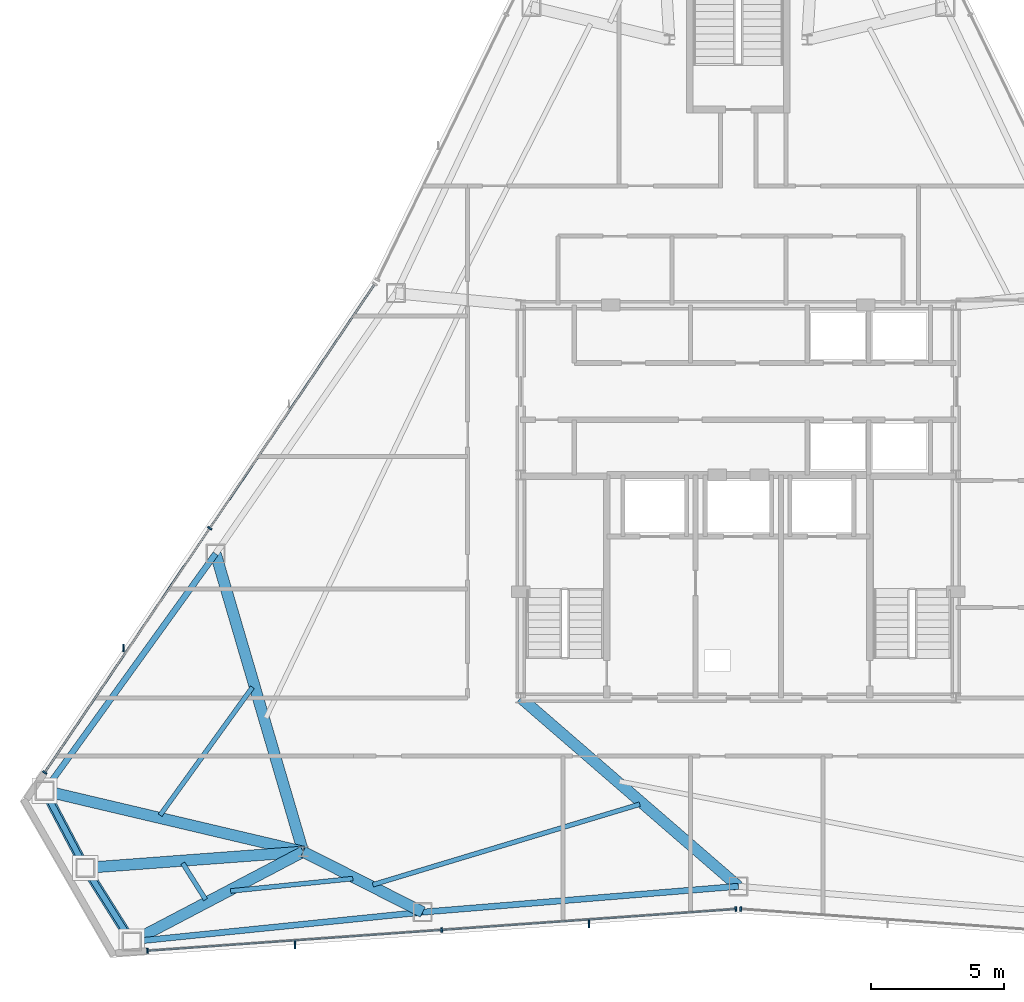
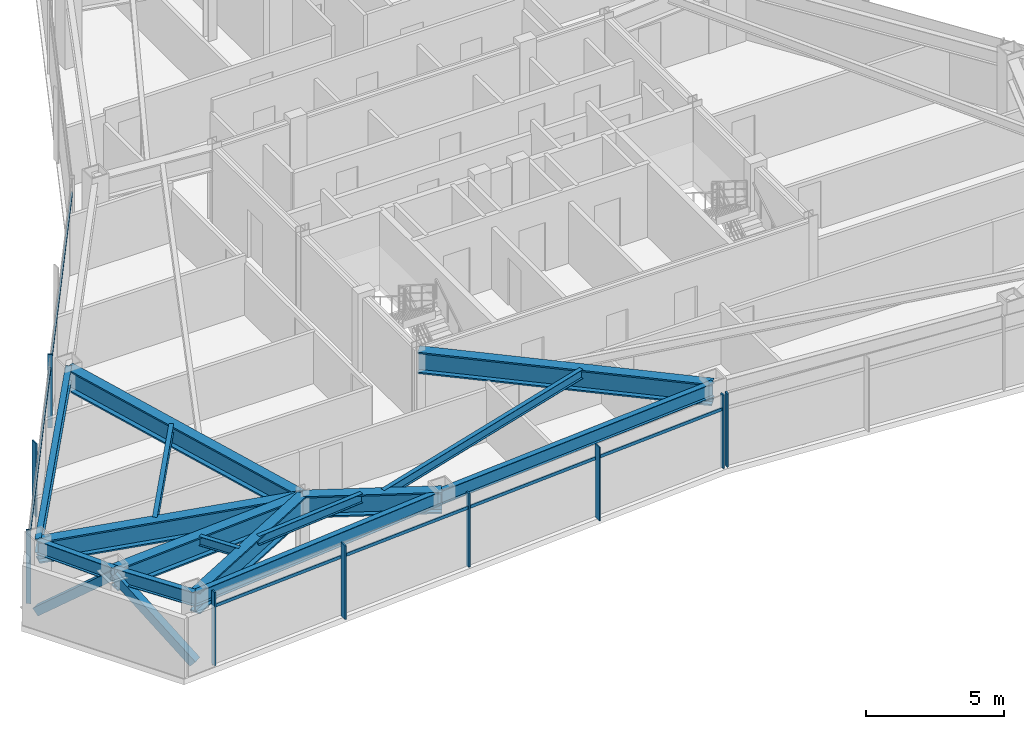
# One storey, part 3 of 12: 15 beams, 13 members, 3 elements without a shape of their own.
"""IFC4 building model written with IfcOpenShell, lengths in metres."""

from ifc_helpers import new_model, si_unit, direction, frame, origin, origin_2d, place, context, subcontext, project, spatial, rectangle, hollow_rectangle, i_section, extrude, source, transform, mapped, material, layer, layer_set, material_profile, profile_set, type_object, type_shapes, element, aggregate, save


model = new_model("IFC4")

# Units and contexts
model_context = context("Model", 3, precision=1e-05, world=origin(), true_north=direction((0.0, 1.0)))
body_context = subcontext(model_context, "Body", "Model", "MODEL_VIEW")
ifc_project = project(units=[si_unit("LENGTHUNIT", "METRE"), si_unit("AREAUNIT", "SQUARE_METRE"), si_unit("VOLUMEUNIT", "CUBIC_METRE"), si_unit("PLANEANGLEUNIT", "RADIAN"), si_unit("MASSUNIT", "GRAM", prefix="KILO")], contexts=[model_context])

# Site, building, storey
site_placement = place(None, origin())
site = spatial("IfcSite", under=ifc_project, at=site_placement, CompositionType="ELEMENT")
building_placement = place(site_placement, origin())
building = spatial("IfcBuilding", under=site, at=building_placement, Name="Varakhsha Concourse Tower", CompositionType="ELEMENT")
storey_placement = place(building_placement, frame((0.0, 0.0, 204.89990234375)))
storey = spatial("IfcBuildingStorey", under=building, at=storey_placement, Name="L58", CompositionType="ELEMENT", Elevation=204.89990234375)

# Beams
ifc_material_1 = material(Name="Structural Steel ASTM A992 Grade 50", Category="steel")
ifc_material_profile_1 = material_profile(ifc_material_1, i_section(OverallWidth=0.177978515625, OverallDepth=0.406982421875, WebThickness=0.008056640625, FlangeThickness=0.012939453125, at=origin_2d()), Name="W16X40")
ifc_profile_set_1 = profile_set([ifc_material_profile_1], Name="Structural Steel ASTM A992 Grade 50")
beam_type_1 = type_object("IfcBeamType", Name="BM-JST-W16X40", PredefinedType="JOIST", material=ifc_profile_set_1)
beam_1_placement = place(storey_placement, frame((21.6884765625, 16.8017578125, 3.046630859375), z_axis=(-0.584927141354, -0.811085839666, 0.0), x_axis=(0.811085839666, -0.584927141354, 0.0)))
element("IfcBeam", 1, at=beam_1_placement, inside=storey, type_object=beam_type_1, Name="BM-TJST-L58-06", PredefinedType="JOIST", context=body_context, shape_type="SweptSolid", body=[
    extrude(i_section(OverallWidth=0.177978515625, OverallDepth=0.406982421875, WebThickness=0.008056640625, FlangeThickness=0.012939453125, at=origin_2d()), origin(), (0.0, 0.0, 1.0), 5.9501953125),
])
beam_2_placement = place(storey_placement, frame((19.060791015625, 10.166015625, 3.046630859375), z_axis=(0.532597407227, -0.84636871505, 0.0), x_axis=(0.84636871505, 0.532597407227, 0.0)))
element("IfcBeam", 2, at=beam_2_placement, inside=storey, type_object=beam_type_1, Name="BM-TJST-L58-08", PredefinedType="JOIST", context=body_context, shape_type="SweptSolid", body=[
    extrude(i_section(OverallWidth=0.177978515625, OverallDepth=0.406982421875, WebThickness=0.008056640625, FlangeThickness=0.012939453125, at=origin_2d()), origin(), (0.0, 0.0, 1.0), 1.619873046875),
])
beam_3_placement = place(storey_placement, frame((20.866943359375, 9.11962890625, 3.046630859375), z_axis=(0.994878732251, 0.101075754334, 0.0), x_axis=(-0.101075754334, 0.994878732251, 0.0)))
element("IfcBeam", 3, at=beam_3_placement, inside=storey, type_object=beam_type_1, Name="BM-TJST-L58-09", PredefinedType="JOIST", context=body_context, shape_type="SweptSolid", body=[
    extrude(i_section(OverallWidth=0.177978515625, OverallDepth=0.406982421875, WebThickness=0.008056640625, FlangeThickness=0.012939453125, at=origin_2d()), origin(), (0.0, 0.0, 1.0), 4.6279296875),
])
beam_4_placement = place(storey_placement, frame((26.226318359375, 9.35693359375, 3.046630859375), z_axis=(0.9574166911, 0.288709680482, 0.0), x_axis=(-0.288709680482, 0.9574166911, 0.0)))
element("IfcBeam", 4, at=beam_4_placement, inside=storey, type_object=beam_type_1, Name="BM-TJST-L58-10", PredefinedType="JOIST", context=body_context, shape_type="SweptSolid", body=[
    extrude(i_section(OverallWidth=0.177978515625, OverallDepth=0.406982421875, WebThickness=0.008056640625, FlangeThickness=0.012939453125, at=origin_2d()), origin(), (0.0, 0.0, 1.0), 10.5078125),
])
ifc_material_profile_2 = material_profile(ifc_material_1, i_section(OverallWidth=0.423095703125, OverallDepth=0.947998046875, WebThickness=0.0380859375, FlangeThickness=0.06396484375, at=origin_2d()), Name="W36X302")
ifc_profile_set_2 = profile_set([ifc_material_profile_2], Name="Structural Steel ASTM A992 Grade 50")
beam_type_2 = type_object("IfcBeamType", Name="BM-OUTR-W36X302", PredefinedType="USERDEFINED", material=ifc_profile_set_2)
beam_5_placement = place(storey_placement, frame((23.60009765625, 10.60009765625, 2.776123046875), z_axis=(-0.281739548175, 0.959490920746, 0.0), x_axis=(-0.959490920746, -0.281739548175, 0.0)))
element("IfcBeam", 5, at=beam_5_placement, inside=storey, type_object=beam_type_2, Name="L58 Radial Floor Girder 06", ObjectType="GIRDER", PredefinedType="USERDEFINED", context=body_context, shape_type="SweptSolid", body=[
    extrude(i_section(OverallWidth=0.423095703125, OverallDepth=0.947998046875, WebThickness=0.0380859375, FlangeThickness=0.06396484375, at=origin_2d()), origin(), (0.0, 0.0, 1.0), 11.7080078125),
])
beam_6_placement = place(storey_placement, frame((23.60009765625, 10.60009765625, 2.776123046875), z_axis=(-0.973318249516, 0.229459332257, 0.0), x_axis=(-0.229459332257, -0.973318249516, 0.0)))
element("IfcBeam", 6, at=beam_6_placement, inside=storey, type_object=beam_type_2, Name="L58 Radial Floor Girder 07", ObjectType="GIRDER", PredefinedType="USERDEFINED", context=body_context, shape_type="SweptSolid", body=[
    extrude(i_section(OverallWidth=0.423095703125, OverallDepth=0.947998046875, WebThickness=0.0380859375, FlangeThickness=0.06396484375, at=origin_2d()), origin(), (0.0, 0.0, 1.0), 10.010986328125),
])
beam_7_placement = place(storey_placement, frame((23.60009765625, 10.60009765625, 2.776123046875), z_axis=(-0.997261601939, -0.073954697607, 0.0), x_axis=(0.073954697607, -0.997261601939, 0.0)))
element("IfcBeam", 7, at=beam_7_placement, inside=storey, type_object=beam_type_2, Name="L58 Radial Floor Girder 08", ObjectType="GIRDER", PredefinedType="USERDEFINED", context=body_context, shape_type="SweptSolid", body=[
    extrude(i_section(OverallWidth=0.423095703125, OverallDepth=0.947998046875, WebThickness=0.0380859375, FlangeThickness=0.06396484375, at=origin_2d()), origin(), (0.0, 0.0, 1.0), 8.233154296875),
])
beam_8_placement = place(storey_placement, frame((23.60009765625, 10.60009765625, 2.776123046875), z_axis=(-0.885501860742, -0.464635830111, 0.0), x_axis=(0.464635830111, -0.885501860742, 0.0)))
element("IfcBeam", 8, at=beam_8_placement, inside=storey, type_object=beam_type_2, Name="L58 Radial Floor Girder 09", ObjectType="GIRDER", PredefinedType="USERDEFINED", context=body_context, shape_type="SweptSolid", body=[
    extrude(i_section(OverallWidth=0.423095703125, OverallDepth=0.947998046875, WebThickness=0.0380859375, FlangeThickness=0.06396484375, at=origin_2d()), origin(), (0.0, 0.0, 1.0), 7.2958984375),
])
beam_9_placement = place(storey_placement, frame((23.60009765625, 10.60009765625, 2.776123046875), z_axis=(0.892365691824, -0.451313053274, 0.0), x_axis=(0.451313053274, 0.892365691824, 0.0)))
element("IfcBeam", 9, at=beam_9_placement, inside=storey, type_object=beam_type_2, Name="L58 Radial Floor Girder 10", ObjectType="GIRDER", PredefinedType="USERDEFINED", context=body_context, shape_type="SweptSolid", body=[
    extrude(i_section(OverallWidth=0.423095703125, OverallDepth=0.947998046875, WebThickness=0.0380859375, FlangeThickness=0.06396484375, at=origin_2d()), origin(), (0.0, 0.0, 1.0), 5.04443359375),
])
beam_10_placement = place(storey_placement, frame((31.800048828125, 16.39990234375, 2.776123046875), z_axis=(0.755864295136, -0.654728315669, 0.0), x_axis=(0.654728315669, 0.755864295136, 0.0)))
element("IfcBeam", 10, at=beam_10_placement, inside=storey, type_object=beam_type_2, Name="L58 Radial Floor Girder 11", ObjectType="GIRDER", PredefinedType="USERDEFINED", context=body_context, shape_type="SweptSolid", body=[
    extrude(i_section(OverallWidth=0.423095703125, OverallDepth=0.947998046875, WebThickness=0.0380859375, FlangeThickness=0.06396484375, at=origin_2d()), origin(), (0.0, 0.0, 1.0), 10.848388671875),
])
ifc_material_profile_3 = material_profile(ifc_material_1, i_section(OverallWidth=0.22900390625, OverallDepth=0.612060546875, WebThickness=0.011962890625, FlangeThickness=0.02001953125, at=origin_2d()), Name="W24X84")
ifc_profile_set_3 = profile_set([ifc_material_profile_3], Name="Structural Steel ASTM A992 Grade 50")
beam_type_3 = type_object("IfcBeamType", Name="BM-SPAN-W24X84", PredefinedType="SPANDREL", material=ifc_profile_set_3)
beam_11_placement = place(storey_placement, frame((20.301513671875, 21.833740234375, 2.944091796875), z_axis=(-0.584962960084, -0.811060007231, 0.0), x_axis=(0.811060007231, -0.584962960084, 0.0)))
element("IfcBeam", 11, at=beam_11_placement, inside=storey, type_object=beam_type_3, Name="BM-SPAN-L58-06", PredefinedType="SPANDREL", context=body_context, shape_type="SweptSolid", body=[
    extrude(i_section(OverallWidth=0.22900390625, OverallDepth=0.612060546875, WebThickness=0.011962890625, FlangeThickness=0.02001953125, at=origin_2d()), origin(), (0.0, 0.0, 1.0), 11.018310546875),
])
beam_12_placement = place(storey_placement, frame((13.856201171875, 12.897216796875, 2.944091796875), z_axis=(0.466634310193, -0.884450349398, 0.0), x_axis=(0.884450349398, 0.466634310193, 0.0)))
element("IfcBeam", 12, at=beam_12_placement, inside=storey, type_object=beam_type_3, Name="BM-SPAN-L58-07", PredefinedType="SPANDREL", context=body_context, shape_type="SweptSolid", body=[
    extrude(i_section(OverallWidth=0.22900390625, OverallDepth=0.612060546875, WebThickness=0.011962890625, FlangeThickness=0.02001953125, at=origin_2d()), origin(), (0.0, 0.0, 1.0), 3.28564453125),
])
beam_13_placement = place(storey_placement, frame((15.389404296875, 9.9912109375, 2.944091796875), z_axis=(0.532647729471, -0.846337046506, 0.0), x_axis=(0.846337046506, 0.532647729471, 0.0)))
element("IfcBeam", 13, at=beam_13_placement, inside=storey, type_object=beam_type_3, Name="BM-SPAN-L58-08", PredefinedType="SPANDREL", context=body_context, shape_type="SweptSolid", body=[
    extrude(i_section(OverallWidth=0.22900390625, OverallDepth=0.612060546875, WebThickness=0.011962890625, FlangeThickness=0.02001953125, at=origin_2d()), origin(), (0.0, 0.0, 1.0), 3.285888671875),
])
beam_14_placement = place(storey_placement, frame((17.1396484375, 7.210205078125, 2.944091796875), z_axis=(0.994882436683, 0.101039285329, 0.0), x_axis=(-0.101039285329, 0.994882436683, 0.0)))
element("IfcBeam", 14, at=beam_14_placement, inside=storey, type_object=beam_type_3, Name="BM-SPAN-L58-09", PredefinedType="SPANDREL", context=body_context, shape_type="SweptSolid", body=[
    extrude(i_section(OverallWidth=0.22900390625, OverallDepth=0.612060546875, WebThickness=0.011962890625, FlangeThickness=0.02001953125, at=origin_2d()), origin(), (0.0, 0.0, 1.0), 11.018310546875),
])
beam_15_placement = place(storey_placement, frame((28.1015625, 8.323486328125, 2.944091796875), z_axis=(0.996668757849, 0.081556036735, 0.0), x_axis=(-0.081556036735, 0.996668757849, 0.0)))
element("IfcBeam", 15, at=beam_15_placement, inside=storey, type_object=beam_type_3, Name="BM-SPAN-L58-10", PredefinedType="SPANDREL", context=body_context, shape_type="SweptSolid", body=[
    extrude(i_section(OverallWidth=0.22900390625, OverallDepth=0.612060546875, WebThickness=0.011962890625, FlangeThickness=0.02001953125, at=origin_2d()), origin(), (0.0, 0.0, 1.0), 11.938232421875),
])

# Members
ifc_material_2 = material(Name="Structural Steel ASTM A500 Grade C", Category="steel")
ifc_material_profile_4 = material_profile(ifc_material_2, hollow_rectangle(XDim=0.35009765625, YDim=0.35009765625, WallThickness=0.01611328125, at=origin_2d()), Name="HSS 350x350x16")
ifc_profile_set_4 = profile_set([ifc_material_profile_4], Name="Structural Steel ASTM A500 Grade C")
member_type_1 = type_object("IfcMemberType", Name="MB-TUBE-HSS350", PredefinedType="BRACE", material=ifc_profile_set_4)
shared_shape_1 = source(origin(), body_context, "Body", "SweptSolid", [
    extrude(hollow_rectangle(XDim=0.35009765625, YDim=0.35009765625, WallThickness=0.01611328125, at=origin_2d()), origin(), (0.0, 0.0, 1.0), 4.33642578125),
])
member_1_placement = place(storey_placement, frame((13.856201171875, 12.897216796875, 0.1201171875), z_axis=(0.353560633732, -0.670132519637, 0.652623386342), x_axis=(0.884450349398, 0.466634310193, 0.0)))
element("IfcMember", 16, at=member_1_placement, inside=storey, type_object=member_type_1, Name="L58 Wind-Corner Tube Brace B03", PredefinedType="BRACE", context=body_context, shape_type="MappedRepresentation", body=[
    mapped(shared_shape_1, transform((0.0, 0.0, 0.0), scale=1.0)),
])
shared_shape_2 = source(origin(), body_context, "Body", "SweptSolid", [
    extrude(hollow_rectangle(XDim=0.35009765625, YDim=0.35009765625, WallThickness=0.01611328125, at=origin_2d()), origin(), (0.0, 0.0, 1.0), 4.336669921875),
])
type_shapes(member_type_1, [shared_shape_1, shared_shape_2])
member_2_placement = place(storey_placement, frame((17.1396484375, 7.210205078125, 0.1201171875), z_axis=(-0.403591903834, 0.641277078612, 0.652592739468), x_axis=(-0.846337046506, -0.532647729471, 0.0)))
element("IfcMember", 17, at=member_2_placement, inside=storey, type_object=member_type_1, Name="L58 Wind-Corner Tube Brace B04", PredefinedType="BRACE", context=body_context, shape_type="MappedRepresentation", body=[
    mapped(shared_shape_2, transform((0.0, 0.0, 0.0), scale=1.0)),
])

# Curtain wall, members
ifc_material_3 = material(Name="Anodised Bronze Architectural Aluminium AA 6063-T6", Category="aluminium")
ifc_layer = layer(ifc_material_3, 0.199951171875, Name="CW-SYS-05")
ifc_layer_set = layer_set([ifc_layer], Name="Anodised Bronze Architectural Aluminium AA 6063-T6")
curtain_wall_type = type_object("IfcCurtainWallType", Name="CW-SYS-05", PredefinedType="NOTDEFINED", material=ifc_layer_set)
curtain_wall_1_placement = place(storey_placement, origin())
curtain_wall_1 = element("IfcCurtainWall", 18, at=curtain_wall_1_placement, inside=storey, type_object=curtain_wall_type, Name="L58 Crystal Curtain Wall F3", PredefinedType="NOTDEFINED")
ifc_material_profile_5 = material_profile(ifc_material_3, rectangle(XDim=0.06494140625, YDim=0.179931640625, at=origin_2d()), Name="CWM-180X65")
ifc_profile_set_5 = profile_set([ifc_material_profile_5], Name="Anodised Bronze Architectural Aluminium AA 6063-T6")
member_type_2 = type_object("IfcMemberType", Name="CWM-180X65", PredefinedType="MULLION", material=ifc_profile_set_5)
shared_shape_3 = source(origin(), body_context, "Body", "SweptSolid", [
    extrude(rectangle(XDim=0.06494140625, YDim=0.179931640625, at=origin_2d()), origin(), (0.0, 0.0, 1.0), 3.25),
])
type_shapes(member_type_2, [shared_shape_3])
member_3_placement = place(storey_placement, frame((13.855224609375, 13.58251953125, 0.0), z_axis=(0.0, 0.0, 1.0), x_axis=(0.559998586649, 0.828493562408, 0.0)))
member_3 = element("IfcMember", 19, at=member_3_placement, type_object=member_type_2, Name="CW-L58-F3 Mullion 00", PredefinedType="MULLION", context=body_context, shape_type="MappedRepresentation", body=[
    mapped(shared_shape_3, transform((0.0, 0.0, 0.0), scale=1.0)),
])
member_4_placement = place(storey_placement, frame((20.080078125, 22.7919921875, 0.0), z_axis=(0.0, 0.0, 1.0), x_axis=(0.559998586649, 0.828493562408, 0.0)))
member_4 = element("IfcMember", 20, at=member_4_placement, type_object=member_type_2, Name="CW-L58-F3 Mullion 01", PredefinedType="MULLION", context=body_context, shape_type="MappedRepresentation", body=[
    mapped(shared_shape_3, transform((0.0, 0.0, 0.0), scale=1.0)),
])

curtain_wall_2_placement = place(storey_placement, origin())
curtain_wall_2 = element("IfcCurtainWall", 21, at=curtain_wall_2_placement, inside=storey, type_object=curtain_wall_type, Name="L58 Crystal Curtain Wall F5", PredefinedType="NOTDEFINED")
member_5_placement = place(storey_placement, frame((39.908935546875, 8.43896484375, 0.0), z_axis=(0.0, 0.0, 1.0), x_axis=(-0.997496012116, -0.070722739, 0.0)))
member_5 = element("IfcMember", 22, at=member_5_placement, type_object=member_type_2, Name="CW-L58-F5 Mullion 00", PredefinedType="MULLION", context=body_context, shape_type="MappedRepresentation", body=[
    mapped(shared_shape_3, transform((0.0, 0.0, 0.0), scale=1.0)),
])
member_6_placement = place(storey_placement, frame((28.82080078125, 7.65283203125, 0.0), z_axis=(0.0, 0.0, 1.0), x_axis=(-0.997496012116, -0.070722739, 0.0)))
member_6 = element("IfcMember", 23, at=member_6_placement, type_object=member_type_2, Name="CW-L58-F5 Mullion 01", PredefinedType="MULLION", context=body_context, shape_type="MappedRepresentation", body=[
    mapped(shared_shape_3, transform((0.0, 0.0, 0.0), scale=1.0)),
])
member_7_placement = place(storey_placement, frame((17.732421875, 6.86669921875, 0.0), z_axis=(0.0, 0.0, 1.0), x_axis=(-0.997496012116, -0.070722739, 0.0)))
member_7 = element("IfcMember", 24, at=member_7_placement, type_object=member_type_2, Name="CW-L58-F5 Mullion 02", PredefinedType="MULLION", context=body_context, shape_type="MappedRepresentation", body=[
    mapped(shared_shape_3, transform((0.0, 0.0, 0.0), scale=1.0)),
])

# Curtain wall, member
curtain_wall_3_placement = place(storey_placement, origin())
curtain_wall_3 = element("IfcCurtainWall", 25, at=curtain_wall_3_placement, inside=storey, type_object=curtain_wall_type, Name="L58 Crystal Curtain Wall F6", PredefinedType="NOTDEFINED")
member_8_placement = place(storey_placement, frame((40.091064453125, 8.43896484375, 0.0), z_axis=(0.0, 0.0, 1.0), x_axis=(-0.997496012116, 0.070722739, 0.0)))
member_8 = element("IfcMember", 26, at=member_8_placement, type_object=member_type_2, Name="CW-L58-F6 Mullion 02", PredefinedType="MULLION", context=body_context, shape_type="MappedRepresentation", body=[
    mapped(shared_shape_3, transform((0.0, 0.0, 0.0), scale=1.0)),
])
aggregate(curtain_wall_3, [member_8])

# Member
ifc_material_profile_6 = material_profile(ifc_material_3, rectangle(XDim=0.054931640625, YDim=0.300048828125, at=origin_2d()), Name="FIN-BRZ-300")
ifc_profile_set_6 = profile_set([ifc_material_profile_6], Name="Anodised Bronze Architectural Aluminium AA 6063-T6")
member_type_3 = type_object("IfcMemberType", Name="FIN-BRZ-300", PredefinedType="USERDEFINED", material=ifc_profile_set_6)
shared_shape_4 = source(origin(), body_context, "Body", "SweptSolid", [
    extrude(rectangle(XDim=0.054931640625, YDim=0.300048828125, at=origin_2d()), origin(), (0.0, 0.0, 1.0), 3.25),
])
type_shapes(member_type_3, [shared_shape_4])
member_9_placement = place(storey_placement, frame((16.8310546875, 18.27978515625, 0.0), z_axis=(0.0, 0.0, 1.0), x_axis=(1.0, 0.0, 0.0)))
member_9 = element("IfcMember", 27, at=member_9_placement, type_object=member_type_3, Name="L58 Anodised Bronze Solar Fin F3-1", ObjectType="SOLAR FIN", PredefinedType="USERDEFINED", context=body_context, shape_type="MappedRepresentation", body=[
    mapped(shared_shape_4, transform((0.0, 0.0, 0.0), scale=1.0)),
])

member_10_placement = place(storey_placement, frame((34.37646484375, 7.88134765625, 0.0), z_axis=(0.0, 0.0, 1.0), x_axis=(1.0, 0.0, 0.0)))
member_10 = element("IfcMember", 28, at=member_10_placement, type_object=member_type_3, Name="L58 Anodised Bronze Solar Fin F5-1", ObjectType="SOLAR FIN", PredefinedType="USERDEFINED", context=body_context, shape_type="MappedRepresentation", body=[
    mapped(shared_shape_4, transform((0.0, 0.0, 0.0), scale=1.0)),
])

member_11_placement = place(storey_placement, frame((23.288330078125, 7.09521484375, 0.0), z_axis=(0.0, 0.0, 1.0), x_axis=(1.0, 0.0, 0.0)))
member_11 = element("IfcMember", 29, at=member_11_placement, type_object=member_type_3, Name="L58 Anodised Bronze Solar Fin F5-2", ObjectType="SOLAR FIN", PredefinedType="USERDEFINED", context=body_context, shape_type="MappedRepresentation", body=[
    mapped(shared_shape_4, transform((0.0, 0.0, 0.0), scale=1.0)),
])

ifc_material_profile_7 = material_profile(ifc_material_3, rectangle(XDim=0.06005859375, YDim=0.139892578125, at=origin_2d()), Name="CWT-140X60")
ifc_profile_set_7 = profile_set([ifc_material_profile_7], Name="Anodised Bronze Architectural Aluminium AA 6063-T6")
member_type_4 = type_object("IfcMemberType", Name="CWT-140X60", PredefinedType="USERDEFINED", material=ifc_profile_set_7)
shared_shape_5 = source(origin(), body_context, "Body", "SweptSolid", [
    extrude(rectangle(XDim=0.06005859375, YDim=0.139892578125, at=origin_2d()), origin(), (0.0, 0.0, 1.0), 22.232177734375),
])
type_shapes(member_type_4, [shared_shape_5])
member_12_placement = place(storey_placement, frame((13.855224609375, 13.58251953125, 2.60009765625), z_axis=(0.559998002966, 0.828493956933, 0.0), x_axis=(-0.828493956933, 0.559998002966, 0.0)))
member_12 = element("IfcMember", 30, at=member_12_placement, type_object=member_type_4, Name="CW-L58-F3 Transom 01", ObjectType="TRANSOM", PredefinedType="USERDEFINED", context=body_context, shape_type="MappedRepresentation", body=[
    mapped(shared_shape_5, transform((0.0, 0.0, 0.0), scale=1.0)),
])

aggregate(curtain_wall_1, [member_3, member_4, member_12, member_9])

member_13_placement = place(storey_placement, frame((39.908935546875, 8.43896484375, 2.60009765625), z_axis=(-0.997496187384, -0.070720266932, 0.0), x_axis=(0.070720266932, -0.997496187384, 0.0)))
member_13 = element("IfcMember", 31, at=member_13_placement, type_object=member_type_4, Name="CW-L58-F5 Transom 01", ObjectType="TRANSOM", PredefinedType="USERDEFINED", context=body_context, shape_type="MappedRepresentation", body=[
    mapped(shared_shape_5, transform((0.0, 0.0, 0.0), scale=1.0)),
])

aggregate(curtain_wall_2, [member_5, member_6, member_7, member_13, member_10, member_11])

save(model, "model.ifc")
